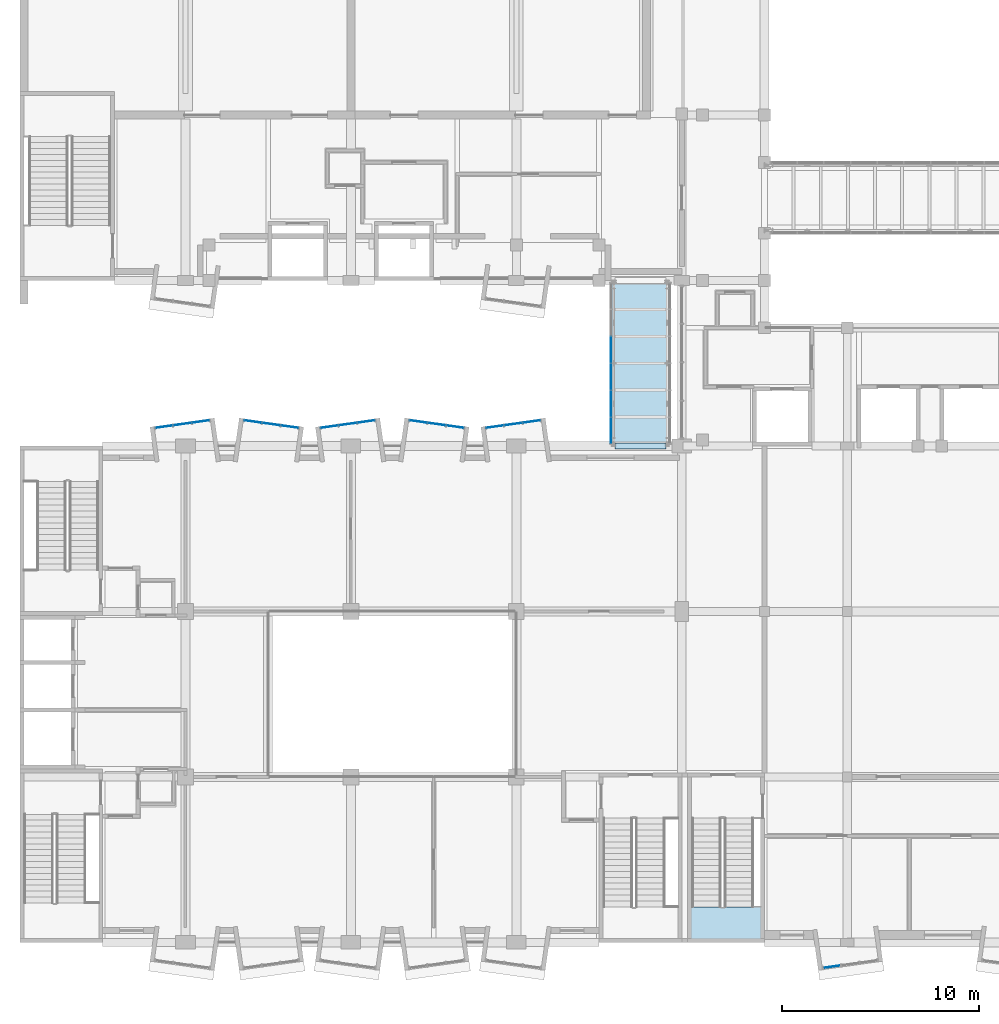
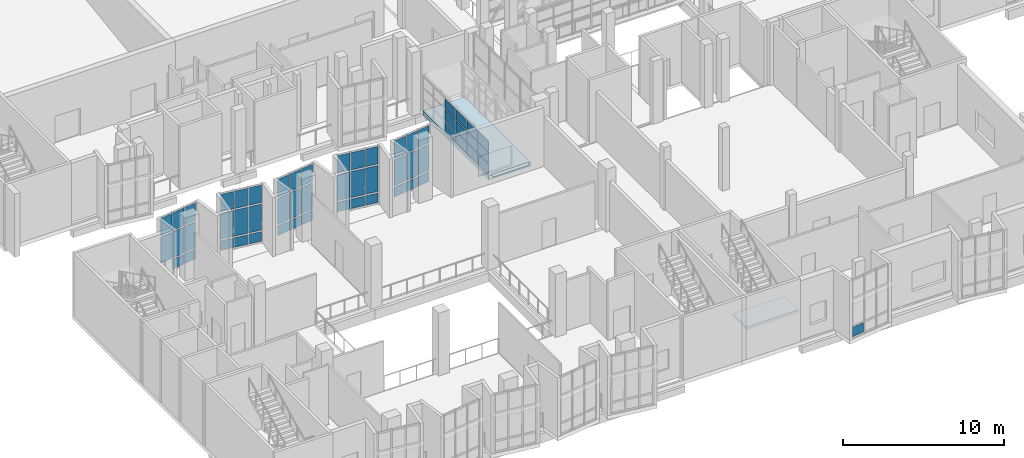
# One storey, part 30 of 86: 58 plates, 2 slabs, 8 elements without a shape of their own.
"""IFC4 building model written with IfcOpenShell, lengths in metres."""

from ifc_helpers import new_model, si_unit, direction, frame, origin, origin_2d, place, context, subcontext, project, spatial, polyline, rectangle, outline, extrude, material, layer, layer_set, type_object, element, aggregate, save


model = new_model("IFC4")

# Units and contexts
model_context = context("Model", 3, precision=1e-05, world=origin(), true_north=direction((0.0, 1.0)))
body_context = subcontext(model_context, "Body", "Model", "MODEL_VIEW")
ifc_project = project(units=[si_unit("LENGTHUNIT", "METRE"), si_unit("AREAUNIT", "SQUARE_METRE"), si_unit("VOLUMEUNIT", "CUBIC_METRE"), si_unit("PLANEANGLEUNIT", "RADIAN"), si_unit("MASSUNIT", "GRAM", prefix="KILO")], contexts=[model_context])

# Site, building, storey
site_placement = place(None, origin())
site = spatial("IfcSite", under=ifc_project, at=site_placement, CompositionType="ELEMENT")
building_placement = place(site_placement, origin())
building = spatial("IfcBuilding", under=site, at=building_placement, Name="Kiln Court Media Centre", CompositionType="ELEMENT")
storey_placement = place(building_placement, frame((0.0, 0.0, 10.199951171875)))
storey = spatial("IfcBuildingStorey", under=building, at=storey_placement, Name="L02", CompositionType="ELEMENT", Elevation=10.199951171875)

# Slab
ifc_material_1 = material(Name="Concrete C30/37", Category="concrete")
ifc_layer_1 = layer(ifc_material_1, 0.300048828125)
ifc_layer_set_1 = layer_set([ifc_layer_1], Name="Concrete C30/37 bridge deck slab 300")
slab_type_1 = type_object("IfcSlabType", Name="Concrete C30/37 bridge deck slab 300", PredefinedType="FLOOR", material=ifc_layer_set_1)
slab_1_placement = place(storey_placement, frame((0.0, 0.0, -0.300048828125)))
element("IfcSlab", 1, at=slab_1_placement, inside=storey, type_object=slab_type_1, Name="bridge BR-1 deck bridge deck slab", PredefinedType="FLOOR", context=body_context, shape_type="SweptSolid", body=[
    extrude(outline(polyline([(30.0, 25.300048828125), (33.0, 25.300048828125), (33.0, 33.5), (30.0, 33.5), (30.0, 25.300048828125)])), origin(), (0.0, 0.0, 1.0), 0.300048828125),
])

# Stair, slab
ifc_material_2 = material(Name="Concrete C40/50", Category="concrete")
stair_type = type_object("IfcStairType", Name="Concrete C40/50 dog-leg stair 1500 wide, 150 riser", PredefinedType="HALF_TURN_STAIR", material=ifc_material_2)
stair_placement = place(storey_placement, origin())
stair = element("IfcStair", 2, at=stair_placement, inside=storey, type_object=stair_type, Name="ST-04 L02", PredefinedType="HALF_TURN_STAIR")
ifc_material_3 = material(Name="Concrete C40/50", Category="concrete")
ifc_layer_2 = layer(ifc_material_3, 0.199951171875)
ifc_layer_set_2 = layer_set([ifc_layer_2], Name="Concrete C40/50 stair landing 200")
slab_type_2 = type_object("IfcSlabType", Name="Concrete C40/50 stair landing 200", PredefinedType="LANDING", material=ifc_layer_set_2)
slab_2_placement = place(storey_placement, frame((0.0, 0.0, 2.199951171875)))
slab_2 = element("IfcSlab", 3, at=slab_2_placement, type_object=slab_type_2, Name="L02-ST-5003 landing 5003", PredefinedType="LANDING", context=body_context, shape_type="SweptSolid", body=[
    extrude(outline(polyline([(33.97998046875, 1.800048828125), (33.97998046875, 0.080078125), (37.719970703125, 0.080078125), (37.719970703125, 1.800048828125), (33.97998046875, 1.800048828125)])), origin(), (0.0, 0.0, 1.0), 0.2001953125),
])
aggregate(stair, [slab_2])

# Curtain wall, plates
ifc_material_4 = material(Name="Aluminium 6063-T6", Category="aluminium")
ifc_layer_3 = layer(ifc_material_4, 0.1201171875)
ifc_layer_set_3 = layer_set([ifc_layer_3], Name="Aluminium unitised curtain wall, bridge")
curtain_wall_type_1 = type_object("IfcCurtainWallType", Name="Aluminium unitised curtain wall, bridge", PredefinedType="USERDEFINED", material=ifc_layer_set_3)
curtain_wall_1_placement = place(storey_placement, origin())
curtain_wall_1 = element("IfcCurtainWall", 4, at=curtain_wall_1_placement, inside=storey, type_object=curtain_wall_type_1, Name="BR-1 side glazing", ObjectType="UNITISED CURTAIN WALL", PredefinedType="USERDEFINED")
ifc_material_5 = material(Name="Aluminium insulated spandrel", Category="aluminium")
ifc_layer_4 = layer(ifc_material_5, 0.028076171875)
ifc_layer_set_4 = layer_set([ifc_layer_4], Name="Insulated aluminium spandrel panel 28")
plate_type_1 = type_object("IfcPlateType", Name="Insulated aluminium spandrel panel 28", PredefinedType="CURTAIN_PANEL", material=ifc_layer_set_4)
plate_1_placement = place(storey_placement, frame((30.014892578125, 25.995849609375, 0.10009765625), z_axis=(0.0, 0.0, 1.0), x_axis=(0.0, 1.0, 0.0)))
plate_1 = element("IfcPlate", 5, at=plate_1_placement, type_object=plate_type_1, Name="CW2-63 panel 1.1", PredefinedType="CURTAIN_PANEL", context=body_context, shape_type="SweptSolid", body=[
    extrude(rectangle(XDim=1.291748046875, YDim=0.028076171875, at=origin_2d()), origin(), (0.0, 0.0, 1.0), 0.74169921875),
])
plate_2_placement = place(storey_placement, frame((30.014892578125, 25.995849609375, 0.94189453125), z_axis=(0.0, 0.0, 1.0), x_axis=(0.0, 1.0, 0.0)))
plate_2 = element("IfcPlate", 6, at=plate_2_placement, type_object=plate_type_1, Name="CW2-63 panel 1.2", PredefinedType="CURTAIN_PANEL", context=body_context, shape_type="SweptSolid", body=[
    extrude(rectangle(XDim=1.291748046875, YDim=0.028076171875, at=origin_2d()), origin(), (0.0, 0.0, 1.0), 0.79150390625),
])
plate_3_placement = place(storey_placement, frame((30.014892578125, 27.35009765625, 0.10009765625), z_axis=(0.0, 0.0, 1.0), x_axis=(0.0, 1.0, 0.0)))
plate_3 = element("IfcPlate", 7, at=plate_3_placement, type_object=plate_type_1, Name="CW2-63 panel 2.1", PredefinedType="CURTAIN_PANEL", context=body_context, shape_type="SweptSolid", body=[
    extrude(rectangle(XDim=1.316650390625, YDim=0.028076171875, at=origin_2d()), origin(), (0.0, 0.0, 1.0), 0.74169921875),
])
plate_4_placement = place(storey_placement, frame((30.014892578125, 27.35009765625, 1.833251953125), z_axis=(0.0, 0.0, 1.0), x_axis=(0.0, 1.0, 0.0)))
plate_4 = element("IfcPlate", 8, at=plate_4_placement, type_object=plate_type_1, Name="CW2-63 panel 2.3", PredefinedType="CURTAIN_PANEL", context=body_context, shape_type="SweptSolid", body=[
    extrude(rectangle(XDim=1.316650390625, YDim=0.028076171875, at=origin_2d()), origin(), (0.0, 0.0, 1.0), 0.74169921875),
])
plate_5_placement = place(storey_placement, frame((30.014892578125, 28.716552734375, 0.10009765625), z_axis=(0.0, 0.0, 1.0), x_axis=(0.0, 1.0, 0.0)))
plate_5 = element("IfcPlate", 9, at=plate_5_placement, type_object=plate_type_1, Name="CW2-63 panel 3.1", PredefinedType="CURTAIN_PANEL", context=body_context, shape_type="SweptSolid", body=[
    extrude(rectangle(XDim=1.316650390625, YDim=0.028076171875, at=origin_2d()), origin(), (0.0, 0.0, 1.0), 0.74169921875),
])
plate_6_placement = place(storey_placement, frame((30.014892578125, 28.716552734375, 0.94189453125), z_axis=(0.0, 0.0, 1.0), x_axis=(0.0, 1.0, 0.0)))
plate_6 = element("IfcPlate", 10, at=plate_6_placement, type_object=plate_type_1, Name="CW2-63 panel 3.2", PredefinedType="CURTAIN_PANEL", context=body_context, shape_type="SweptSolid", body=[
    extrude(rectangle(XDim=1.316650390625, YDim=0.028076171875, at=origin_2d()), origin(), (0.0, 0.0, 1.0), 0.79150390625),
])
plate_7_placement = place(storey_placement, frame((30.014892578125, 28.716552734375, 1.833251953125), z_axis=(0.0, 0.0, 1.0), x_axis=(0.0, 1.0, 0.0)))
plate_7 = element("IfcPlate", 11, at=plate_7_placement, type_object=plate_type_1, Name="CW2-63 panel 3.3", PredefinedType="CURTAIN_PANEL", context=body_context, shape_type="SweptSolid", body=[
    extrude(rectangle(XDim=1.316650390625, YDim=0.028076171875, at=origin_2d()), origin(), (0.0, 0.0, 1.0), 0.74169921875),
])
plate_8_placement = place(storey_placement, frame((30.014892578125, 30.083251953125, 0.10009765625), z_axis=(0.0, 0.0, 1.0), x_axis=(0.0, 1.0, 0.0)))
plate_8 = element("IfcPlate", 12, at=plate_8_placement, type_object=plate_type_1, Name="CW2-63 panel 4.1", PredefinedType="CURTAIN_PANEL", context=body_context, shape_type="SweptSolid", body=[
    extrude(rectangle(XDim=1.316650390625, YDim=0.028076171875, at=origin_2d()), origin(), (0.0, 0.0, 1.0), 0.74169921875),
])
plate_9_placement = place(storey_placement, frame((30.014892578125, 30.083251953125, 0.94189453125), z_axis=(0.0, 0.0, 1.0), x_axis=(0.0, 1.0, 0.0)))
plate_9 = element("IfcPlate", 13, at=plate_9_placement, type_object=plate_type_1, Name="CW2-63 panel 4.2", PredefinedType="CURTAIN_PANEL", context=body_context, shape_type="SweptSolid", body=[
    extrude(rectangle(XDim=1.316650390625, YDim=0.028076171875, at=origin_2d()), origin(), (0.0, 0.0, 1.0), 0.79150390625),
])
plate_10_placement = place(storey_placement, frame((30.014892578125, 30.083251953125, 1.833251953125), z_axis=(0.0, 0.0, 1.0), x_axis=(0.0, 1.0, 0.0)))
plate_10 = element("IfcPlate", 14, at=plate_10_placement, type_object=plate_type_1, Name="CW2-63 panel 4.3", PredefinedType="CURTAIN_PANEL", context=body_context, shape_type="SweptSolid", body=[
    extrude(rectangle(XDim=1.316650390625, YDim=0.028076171875, at=origin_2d()), origin(), (0.0, 0.0, 1.0), 0.74169921875),
])

ifc_material_6 = material(Name="Aluminium 6063-T6", Category="aluminium")
ifc_layer_5 = layer(ifc_material_6, 0.1201171875)
ifc_layer_set_5 = layer_set([ifc_layer_5], Name="Aluminium unitised bay curtain wall")
curtain_wall_type_2 = type_object("IfcCurtainWallType", Name="Aluminium unitised bay curtain wall", PredefinedType="USERDEFINED", material=ifc_layer_set_5)
curtain_wall_2_placement = place(storey_placement, origin())
curtain_wall_2 = element("IfcCurtainWall", 15, at=curtain_wall_2_placement, inside=storey, type_object=curtain_wall_type_2, Name="BAY V6A-N-L02-10 front", ObjectType="UNITISED CURTAIN WALL", PredefinedType="USERDEFINED")
ifc_material_7 = material(Name="Aluminium insulated spandrel", Category="aluminium")
ifc_layer_6 = layer(ifc_material_7, 0.028076171875)
ifc_layer_set_6 = layer_set([ifc_layer_6], Name="Insulated spandrel panel 28")
plate_type_2 = type_object("IfcPlateType", Name="Insulated spandrel panel 28", PredefinedType="CURTAIN_PANEL", material=ifc_layer_set_6)
plate_11_placement = place(storey_placement, frame((8.244140625, 26.30908203125, 0.1201171875), z_axis=(0.0, 0.0, 1.0), x_axis=(0.990269562409, 0.139162472554, 0.0)))
plate_11 = element("IfcPlate", 16, at=plate_11_placement, type_object=plate_type_2, Name="CW2-03 panel 2.1", PredefinedType="CURTAIN_PANEL", context=body_context, shape_type="SweptSolid", body=[
    extrude(rectangle(XDim=0.896728515625, YDim=0.028076171875, at=origin_2d()), origin(), (0.0, 0.0, 1.0), 0.719970703125),
])
plate_12_placement = place(storey_placement, frame((9.1767578125, 26.440185546875, 0.1201171875), z_axis=(0.0, 0.0, 1.0), x_axis=(0.990269562409, 0.139162472554, 0.0)))
plate_12 = element("IfcPlate", 17, at=plate_12_placement, type_object=plate_type_2, Name="CW2-03 panel 3.1", PredefinedType="CURTAIN_PANEL", context=body_context, shape_type="SweptSolid", body=[
    extrude(rectangle(XDim=0.86669921875, YDim=0.028076171875, at=origin_2d()), origin(), (0.0, 0.0, 1.0), 0.719970703125),
])

curtain_wall_3_placement = place(storey_placement, origin())
curtain_wall_3 = element("IfcCurtainWall", 18, at=curtain_wall_3_placement, inside=storey, type_object=curtain_wall_type_2, Name="BAY V6A-N-L02-11 front", ObjectType="UNITISED CURTAIN WALL", PredefinedType="USERDEFINED")
plate_13_placement = place(storey_placement, frame((11.8232421875, 26.440185546875, 0.1201171875), z_axis=(0.0, 0.0, 1.0), x_axis=(0.990269562409, -0.139162472554, 0.0)))
plate_13 = element("IfcPlate", 19, at=plate_13_placement, type_object=plate_type_2, Name="CW2-04 panel 1.1", PredefinedType="CURTAIN_PANEL", context=body_context, shape_type="SweptSolid", body=[
    extrude(rectangle(XDim=0.86669921875, YDim=0.028076171875, at=origin_2d()), origin(), (0.0, 0.0, 1.0), 0.719970703125),
])
plate_14_placement = place(storey_placement, frame((12.755859375, 26.30908203125, 0.1201171875), z_axis=(0.0, 0.0, 1.0), x_axis=(0.990269562409, -0.139162472554, 0.0)))
plate_14 = element("IfcPlate", 20, at=plate_14_placement, type_object=plate_type_2, Name="CW2-04 panel 2.1", PredefinedType="CURTAIN_PANEL", context=body_context, shape_type="SweptSolid", body=[
    extrude(rectangle(XDim=0.896728515625, YDim=0.028076171875, at=origin_2d()), origin(), (0.0, 0.0, 1.0), 0.719970703125),
])
plate_15_placement = place(storey_placement, frame((13.6884765625, 26.177978515625, 0.1201171875), z_axis=(0.0, 0.0, 1.0), x_axis=(0.990269562409, -0.139162472554, 0.0)))
plate_15 = element("IfcPlate", 21, at=plate_15_placement, type_object=plate_type_2, Name="CW2-04 panel 3.1", PredefinedType="CURTAIN_PANEL", context=body_context, shape_type="SweptSolid", body=[
    extrude(rectangle(XDim=0.86669921875, YDim=0.028076171875, at=origin_2d()), origin(), (0.0, 0.0, 1.0), 0.719970703125),
])

curtain_wall_4_placement = place(storey_placement, origin())
curtain_wall_4 = element("IfcCurtainWall", 22, at=curtain_wall_4_placement, inside=storey, type_object=curtain_wall_type_2, Name="BAY V6A-N-L02-12 front", ObjectType="UNITISED CURTAIN WALL", PredefinedType="USERDEFINED")
plate_16_placement = place(storey_placement, frame((15.711669921875, 26.177978515625, 0.1201171875), z_axis=(0.0, 0.0, 1.0), x_axis=(0.990269562409, 0.139162472554, 0.0)))
plate_16 = element("IfcPlate", 23, at=plate_16_placement, type_object=plate_type_2, Name="CW2-05 panel 1.1", PredefinedType="CURTAIN_PANEL", context=body_context, shape_type="SweptSolid", body=[
    extrude(rectangle(XDim=0.86669921875, YDim=0.028076171875, at=origin_2d()), origin(), (0.0, 0.0, 1.0), 0.719970703125),
])
plate_17_placement = place(storey_placement, frame((16.64404296875, 26.30908203125, 0.1201171875), z_axis=(0.0, 0.0, 1.0), x_axis=(0.990269562409, 0.139162472554, 0.0)))
plate_17 = element("IfcPlate", 24, at=plate_17_placement, type_object=plate_type_2, Name="CW2-05 panel 2.1", PredefinedType="CURTAIN_PANEL", context=body_context, shape_type="SweptSolid", body=[
    extrude(rectangle(XDim=0.896728515625, YDim=0.028076171875, at=origin_2d()), origin(), (0.0, 0.0, 1.0), 0.719970703125),
])
plate_18_placement = place(storey_placement, frame((17.57666015625, 26.440185546875, 0.1201171875), z_axis=(0.0, 0.0, 1.0), x_axis=(0.990269562409, 0.139162472554, 0.0)))
plate_18 = element("IfcPlate", 25, at=plate_18_placement, type_object=plate_type_2, Name="CW2-05 panel 3.1", PredefinedType="CURTAIN_PANEL", context=body_context, shape_type="SweptSolid", body=[
    extrude(rectangle(XDim=0.86669921875, YDim=0.028076171875, at=origin_2d()), origin(), (0.0, 0.0, 1.0), 0.719970703125),
])

curtain_wall_5_placement = place(storey_placement, origin())
curtain_wall_5 = element("IfcCurtainWall", 26, at=curtain_wall_5_placement, inside=storey, type_object=curtain_wall_type_2, Name="BAY V6A-N-L02-13 front", ObjectType="UNITISED CURTAIN WALL", PredefinedType="USERDEFINED")
plate_19_placement = place(storey_placement, frame((20.223388671875, 26.440185546875, 0.1201171875), z_axis=(0.0, 0.0, 1.0), x_axis=(0.990269562409, -0.139162472554, 0.0)))
plate_19 = element("IfcPlate", 27, at=plate_19_placement, type_object=plate_type_2, Name="CW2-06 panel 1.1", PredefinedType="CURTAIN_PANEL", context=body_context, shape_type="SweptSolid", body=[
    extrude(rectangle(XDim=0.86669921875, YDim=0.028076171875, at=origin_2d()), origin(), (0.0, 0.0, 1.0), 0.719970703125),
])
plate_20_placement = place(storey_placement, frame((21.15576171875, 26.30908203125, 0.1201171875), z_axis=(0.0, 0.0, 1.0), x_axis=(0.990269562409, -0.139162472554, 0.0)))
plate_20 = element("IfcPlate", 28, at=plate_20_placement, type_object=plate_type_2, Name="CW2-06 panel 2.1", PredefinedType="CURTAIN_PANEL", context=body_context, shape_type="SweptSolid", body=[
    extrude(rectangle(XDim=0.896728515625, YDim=0.028076171875, at=origin_2d()), origin(), (0.0, 0.0, 1.0), 0.719970703125),
])
plate_21_placement = place(storey_placement, frame((22.08837890625, 26.177978515625, 0.1201171875), z_axis=(0.0, 0.0, 1.0), x_axis=(0.990269562409, -0.139162472554, 0.0)))
plate_21 = element("IfcPlate", 29, at=plate_21_placement, type_object=plate_type_2, Name="CW2-06 panel 3.1", PredefinedType="CURTAIN_PANEL", context=body_context, shape_type="SweptSolid", body=[
    extrude(rectangle(XDim=0.86669921875, YDim=0.028076171875, at=origin_2d()), origin(), (0.0, 0.0, 1.0), 0.719970703125),
])

curtain_wall_6_placement = place(storey_placement, origin())
curtain_wall_6 = element("IfcCurtainWall", 30, at=curtain_wall_6_placement, inside=storey, type_object=curtain_wall_type_2, Name="BAY V6A-N-L02-14 front", ObjectType="UNITISED CURTAIN WALL", PredefinedType="USERDEFINED")
plate_22_placement = place(storey_placement, frame((24.111572265625, 26.177978515625, 0.1201171875), z_axis=(0.0, 0.0, 1.0), x_axis=(0.990269562409, 0.139162472554, 0.0)))
plate_22 = element("IfcPlate", 31, at=plate_22_placement, type_object=plate_type_2, Name="CW2-07 panel 1.1", PredefinedType="CURTAIN_PANEL", context=body_context, shape_type="SweptSolid", body=[
    extrude(rectangle(XDim=0.86669921875, YDim=0.028076171875, at=origin_2d()), origin(), (0.0, 0.0, 1.0), 0.719970703125),
])
plate_23_placement = place(storey_placement, frame((25.044189453125, 26.30908203125, 0.1201171875), z_axis=(0.0, 0.0, 1.0), x_axis=(0.990269562409, 0.139162472554, 0.0)))
plate_23 = element("IfcPlate", 32, at=plate_23_placement, type_object=plate_type_2, Name="CW2-07 panel 2.1", PredefinedType="CURTAIN_PANEL", context=body_context, shape_type="SweptSolid", body=[
    extrude(rectangle(XDim=0.896728515625, YDim=0.028076171875, at=origin_2d()), origin(), (0.0, 0.0, 1.0), 0.719970703125),
])
plate_24_placement = place(storey_placement, frame((25.9765625, 26.440185546875, 0.1201171875), z_axis=(0.0, 0.0, 1.0), x_axis=(0.990269562409, 0.139162472554, 0.0)))
plate_24 = element("IfcPlate", 33, at=plate_24_placement, type_object=plate_type_2, Name="CW2-07 panel 3.1", PredefinedType="CURTAIN_PANEL", context=body_context, shape_type="SweptSolid", body=[
    extrude(rectangle(XDim=0.86669921875, YDim=0.028076171875, at=origin_2d()), origin(), (0.0, 0.0, 1.0), 0.719970703125),
])

# Curtain wall, plate
curtain_wall_7_placement = place(storey_placement, origin())
curtain_wall_7 = element("IfcCurtainWall", 34, at=curtain_wall_7_placement, inside=storey, type_object=curtain_wall_type_2, Name="BAY V6B-S-L02-04 front", ObjectType="UNITISED CURTAIN WALL", PredefinedType="USERDEFINED")
plate_25_placement = place(storey_placement, frame((41.223388671875, -1.240234375, 0.1201171875), z_axis=(0.0, 0.0, 1.0), x_axis=(0.990269562409, 0.139162472554, 0.0)))
plate_25 = element("IfcPlate", 35, at=plate_25_placement, type_object=plate_type_2, Name="CW2-13 panel 1.1", PredefinedType="CURTAIN_PANEL", context=body_context, shape_type="SweptSolid", body=[
    extrude(rectangle(XDim=0.86669921875, YDim=0.028076171875, at=origin_2d()), origin(), (0.0, 0.0, 1.0), 0.719970703125),
])
aggregate(curtain_wall_7, [plate_25])

# Plate
ifc_material_8 = material(Name="Laminated low-E glazing", Category="glass")
ifc_layer_7 = layer(ifc_material_8, 0.028076171875)
ifc_layer_set_7 = layer_set([ifc_layer_7], Name="Laminated low-E glazed panel 28")
plate_type_3 = type_object("IfcPlateType", Name="Laminated low-E glazed panel 28", PredefinedType="CURTAIN_PANEL", material=ifc_layer_set_7)
plate_26_placement = place(storey_placement, frame((30.014892578125, 25.995849609375, 1.833251953125), z_axis=(0.0, 0.0, 1.0), x_axis=(0.0, 1.0, 0.0)))
plate_26 = element("IfcPlate", 36, at=plate_26_placement, type_object=plate_type_3, Name="CW2-63 panel 1.3", PredefinedType="CURTAIN_PANEL", context=body_context, shape_type="SweptSolid", body=[
    extrude(rectangle(XDim=1.291748046875, YDim=0.028076171875, at=origin_2d()), origin(), (0.0, 0.0, 1.0), 0.74169921875),
])

plate_27_placement = place(storey_placement, frame((30.014892578125, 27.35009765625, 0.94189453125), z_axis=(0.0, 0.0, 1.0), x_axis=(0.0, 1.0, 0.0)))
plate_27 = element("IfcPlate", 37, at=plate_27_placement, type_object=plate_type_3, Name="CW2-63 panel 2.2", PredefinedType="CURTAIN_PANEL", context=body_context, shape_type="SweptSolid", body=[
    extrude(rectangle(XDim=1.316650390625, YDim=0.028076171875, at=origin_2d()), origin(), (0.0, 0.0, 1.0), 0.79150390625),
])

aggregate(curtain_wall_1, [plate_1, plate_2, plate_26, plate_3, plate_27, plate_4, plate_5, plate_6, plate_7, plate_8, plate_9, plate_10])

ifc_material_9 = material(Name="Low-E double glazing", Category="glass")
ifc_layer_8 = layer(ifc_material_9, 0.028076171875)
ifc_layer_set_8 = layer_set([ifc_layer_8], Name="Low-E double glazed panel 28")
plate_type_4 = type_object("IfcPlateType", Name="Low-E double glazed panel 28", PredefinedType="CURTAIN_PANEL", material=ifc_layer_set_8)
plate_28_placement = place(storey_placement, frame((7.3115234375, 26.177978515625, 0.9599609375), z_axis=(0.0, 0.0, 1.0), x_axis=(0.990269562409, 0.139162472554, 0.0)))
plate_28 = element("IfcPlate", 38, at=plate_28_placement, type_object=plate_type_4, Name="CW2-03 panel 1.2", PredefinedType="CURTAIN_PANEL", context=body_context, shape_type="SweptSolid", body=[
    extrude(rectangle(XDim=0.86669921875, YDim=0.028076171875, at=origin_2d()), origin(), (0.0, 0.0, 1.0), 1.97998046875),
])

plate_29_placement = place(storey_placement, frame((7.3115234375, 26.177978515625, 3.06005859375), z_axis=(0.0, 0.0, 1.0), x_axis=(0.990269562409, 0.139162472554, 0.0)))
plate_29 = element("IfcPlate", 39, at=plate_29_placement, type_object=plate_type_4, Name="CW2-03 panel 1.3", PredefinedType="CURTAIN_PANEL", context=body_context, shape_type="SweptSolid", body=[
    extrude(rectangle(XDim=0.86669921875, YDim=0.028076171875, at=origin_2d()), origin(), (0.0, 0.0, 1.0), 1.320068359375),
])

plate_30_placement = place(storey_placement, frame((8.244140625, 26.30908203125, 0.9599609375), z_axis=(0.0, 0.0, 1.0), x_axis=(0.990269562409, 0.139162472554, 0.0)))
plate_30 = element("IfcPlate", 40, at=plate_30_placement, type_object=plate_type_4, Name="CW2-03 panel 2.2", PredefinedType="CURTAIN_PANEL", context=body_context, shape_type="SweptSolid", body=[
    extrude(rectangle(XDim=0.896728515625, YDim=0.028076171875, at=origin_2d()), origin(), (0.0, 0.0, 1.0), 1.97998046875),
])

plate_31_placement = place(storey_placement, frame((8.244140625, 26.30908203125, 3.06005859375), z_axis=(0.0, 0.0, 1.0), x_axis=(0.990269562409, 0.139162472554, 0.0)))
plate_31 = element("IfcPlate", 41, at=plate_31_placement, type_object=plate_type_4, Name="CW2-03 panel 2.3", PredefinedType="CURTAIN_PANEL", context=body_context, shape_type="SweptSolid", body=[
    extrude(rectangle(XDim=0.896728515625, YDim=0.028076171875, at=origin_2d()), origin(), (0.0, 0.0, 1.0), 1.320068359375),
])

plate_32_placement = place(storey_placement, frame((9.1767578125, 26.440185546875, 0.9599609375), z_axis=(0.0, 0.0, 1.0), x_axis=(0.990269562409, 0.139162472554, 0.0)))
plate_32 = element("IfcPlate", 42, at=plate_32_placement, type_object=plate_type_4, Name="CW2-03 panel 3.2", PredefinedType="CURTAIN_PANEL", context=body_context, shape_type="SweptSolid", body=[
    extrude(rectangle(XDim=0.86669921875, YDim=0.028076171875, at=origin_2d()), origin(), (0.0, 0.0, 1.0), 1.97998046875),
])

plate_33_placement = place(storey_placement, frame((9.1767578125, 26.440185546875, 3.06005859375), z_axis=(0.0, 0.0, 1.0), x_axis=(0.990269562409, 0.139162472554, 0.0)))
plate_33 = element("IfcPlate", 43, at=plate_33_placement, type_object=plate_type_4, Name="CW2-03 panel 3.3", PredefinedType="CURTAIN_PANEL", context=body_context, shape_type="SweptSolid", body=[
    extrude(rectangle(XDim=0.86669921875, YDim=0.028076171875, at=origin_2d()), origin(), (0.0, 0.0, 1.0), 1.320068359375),
])

aggregate(curtain_wall_2, [plate_28, plate_29, plate_11, plate_30, plate_31, plate_12, plate_32, plate_33])

plate_34_placement = place(storey_placement, frame((11.8232421875, 26.440185546875, 0.9599609375), z_axis=(0.0, 0.0, 1.0), x_axis=(0.990269562409, -0.139162472554, 0.0)))
plate_34 = element("IfcPlate", 44, at=plate_34_placement, type_object=plate_type_4, Name="CW2-04 panel 1.2", PredefinedType="CURTAIN_PANEL", context=body_context, shape_type="SweptSolid", body=[
    extrude(rectangle(XDim=0.86669921875, YDim=0.028076171875, at=origin_2d()), origin(), (0.0, 0.0, 1.0), 1.97998046875),
])

plate_35_placement = place(storey_placement, frame((11.8232421875, 26.440185546875, 3.06005859375), z_axis=(0.0, 0.0, 1.0), x_axis=(0.990269562409, -0.139162472554, 0.0)))
plate_35 = element("IfcPlate", 45, at=plate_35_placement, type_object=plate_type_4, Name="CW2-04 panel 1.3", PredefinedType="CURTAIN_PANEL", context=body_context, shape_type="SweptSolid", body=[
    extrude(rectangle(XDim=0.86669921875, YDim=0.028076171875, at=origin_2d()), origin(), (0.0, 0.0, 1.0), 1.320068359375),
])

plate_36_placement = place(storey_placement, frame((12.755859375, 26.30908203125, 0.9599609375), z_axis=(0.0, 0.0, 1.0), x_axis=(0.990269562409, -0.139162472554, 0.0)))
plate_36 = element("IfcPlate", 46, at=plate_36_placement, type_object=plate_type_4, Name="CW2-04 panel 2.2", PredefinedType="CURTAIN_PANEL", context=body_context, shape_type="SweptSolid", body=[
    extrude(rectangle(XDim=0.896728515625, YDim=0.028076171875, at=origin_2d()), origin(), (0.0, 0.0, 1.0), 1.97998046875),
])

plate_37_placement = place(storey_placement, frame((12.755859375, 26.30908203125, 3.06005859375), z_axis=(0.0, 0.0, 1.0), x_axis=(0.990269562409, -0.139162472554, 0.0)))
plate_37 = element("IfcPlate", 47, at=plate_37_placement, type_object=plate_type_4, Name="CW2-04 panel 2.3", PredefinedType="CURTAIN_PANEL", context=body_context, shape_type="SweptSolid", body=[
    extrude(rectangle(XDim=0.896728515625, YDim=0.028076171875, at=origin_2d()), origin(), (0.0, 0.0, 1.0), 1.320068359375),
])

plate_38_placement = place(storey_placement, frame((13.6884765625, 26.177978515625, 0.9599609375), z_axis=(0.0, 0.0, 1.0), x_axis=(0.990269562409, -0.139162472554, 0.0)))
plate_38 = element("IfcPlate", 48, at=plate_38_placement, type_object=plate_type_4, Name="CW2-04 panel 3.2", PredefinedType="CURTAIN_PANEL", context=body_context, shape_type="SweptSolid", body=[
    extrude(rectangle(XDim=0.86669921875, YDim=0.028076171875, at=origin_2d()), origin(), (0.0, 0.0, 1.0), 1.97998046875),
])

plate_39_placement = place(storey_placement, frame((13.6884765625, 26.177978515625, 3.06005859375), z_axis=(0.0, 0.0, 1.0), x_axis=(0.990269562409, -0.139162472554, 0.0)))
plate_39 = element("IfcPlate", 49, at=plate_39_placement, type_object=plate_type_4, Name="CW2-04 panel 3.3", PredefinedType="CURTAIN_PANEL", context=body_context, shape_type="SweptSolid", body=[
    extrude(rectangle(XDim=0.86669921875, YDim=0.028076171875, at=origin_2d()), origin(), (0.0, 0.0, 1.0), 1.320068359375),
])

aggregate(curtain_wall_3, [plate_13, plate_34, plate_35, plate_14, plate_36, plate_37, plate_15, plate_38, plate_39])

plate_40_placement = place(storey_placement, frame((15.711669921875, 26.177978515625, 0.9599609375), z_axis=(0.0, 0.0, 1.0), x_axis=(0.990269562409, 0.139162472554, 0.0)))
plate_40 = element("IfcPlate", 50, at=plate_40_placement, type_object=plate_type_4, Name="CW2-05 panel 1.2", PredefinedType="CURTAIN_PANEL", context=body_context, shape_type="SweptSolid", body=[
    extrude(rectangle(XDim=0.86669921875, YDim=0.028076171875, at=origin_2d()), origin(), (0.0, 0.0, 1.0), 1.97998046875),
])

plate_41_placement = place(storey_placement, frame((15.711669921875, 26.177978515625, 3.06005859375), z_axis=(0.0, 0.0, 1.0), x_axis=(0.990269562409, 0.139162472554, 0.0)))
plate_41 = element("IfcPlate", 51, at=plate_41_placement, type_object=plate_type_4, Name="CW2-05 panel 1.3", PredefinedType="CURTAIN_PANEL", context=body_context, shape_type="SweptSolid", body=[
    extrude(rectangle(XDim=0.86669921875, YDim=0.028076171875, at=origin_2d()), origin(), (0.0, 0.0, 1.0), 1.320068359375),
])

plate_42_placement = place(storey_placement, frame((16.64404296875, 26.30908203125, 0.9599609375), z_axis=(0.0, 0.0, 1.0), x_axis=(0.990269562409, 0.139162472554, 0.0)))
plate_42 = element("IfcPlate", 52, at=plate_42_placement, type_object=plate_type_4, Name="CW2-05 panel 2.2", PredefinedType="CURTAIN_PANEL", context=body_context, shape_type="SweptSolid", body=[
    extrude(rectangle(XDim=0.896728515625, YDim=0.028076171875, at=origin_2d()), origin(), (0.0, 0.0, 1.0), 1.97998046875),
])

plate_43_placement = place(storey_placement, frame((16.64404296875, 26.30908203125, 3.06005859375), z_axis=(0.0, 0.0, 1.0), x_axis=(0.990269562409, 0.139162472554, 0.0)))
plate_43 = element("IfcPlate", 53, at=plate_43_placement, type_object=plate_type_4, Name="CW2-05 panel 2.3", PredefinedType="CURTAIN_PANEL", context=body_context, shape_type="SweptSolid", body=[
    extrude(rectangle(XDim=0.896728515625, YDim=0.028076171875, at=origin_2d()), origin(), (0.0, 0.0, 1.0), 1.320068359375),
])

plate_44_placement = place(storey_placement, frame((17.57666015625, 26.440185546875, 0.9599609375), z_axis=(0.0, 0.0, 1.0), x_axis=(0.990269562409, 0.139162472554, 0.0)))
plate_44 = element("IfcPlate", 54, at=plate_44_placement, type_object=plate_type_4, Name="CW2-05 panel 3.2", PredefinedType="CURTAIN_PANEL", context=body_context, shape_type="SweptSolid", body=[
    extrude(rectangle(XDim=0.86669921875, YDim=0.028076171875, at=origin_2d()), origin(), (0.0, 0.0, 1.0), 1.97998046875),
])

plate_45_placement = place(storey_placement, frame((17.57666015625, 26.440185546875, 3.06005859375), z_axis=(0.0, 0.0, 1.0), x_axis=(0.990269562409, 0.139162472554, 0.0)))
plate_45 = element("IfcPlate", 55, at=plate_45_placement, type_object=plate_type_4, Name="CW2-05 panel 3.3", PredefinedType="CURTAIN_PANEL", context=body_context, shape_type="SweptSolid", body=[
    extrude(rectangle(XDim=0.86669921875, YDim=0.028076171875, at=origin_2d()), origin(), (0.0, 0.0, 1.0), 1.320068359375),
])

aggregate(curtain_wall_4, [plate_16, plate_40, plate_41, plate_17, plate_42, plate_43, plate_18, plate_44, plate_45])

plate_46_placement = place(storey_placement, frame((20.223388671875, 26.440185546875, 0.9599609375), z_axis=(0.0, 0.0, 1.0), x_axis=(0.990269562409, -0.139162472554, 0.0)))
plate_46 = element("IfcPlate", 56, at=plate_46_placement, type_object=plate_type_4, Name="CW2-06 panel 1.2", PredefinedType="CURTAIN_PANEL", context=body_context, shape_type="SweptSolid", body=[
    extrude(rectangle(XDim=0.86669921875, YDim=0.028076171875, at=origin_2d()), origin(), (0.0, 0.0, 1.0), 1.97998046875),
])

plate_47_placement = place(storey_placement, frame((20.223388671875, 26.440185546875, 3.06005859375), z_axis=(0.0, 0.0, 1.0), x_axis=(0.990269562409, -0.139162472554, 0.0)))
plate_47 = element("IfcPlate", 57, at=plate_47_placement, type_object=plate_type_4, Name="CW2-06 panel 1.3", PredefinedType="CURTAIN_PANEL", context=body_context, shape_type="SweptSolid", body=[
    extrude(rectangle(XDim=0.86669921875, YDim=0.028076171875, at=origin_2d()), origin(), (0.0, 0.0, 1.0), 1.320068359375),
])

plate_48_placement = place(storey_placement, frame((21.15576171875, 26.30908203125, 0.9599609375), z_axis=(0.0, 0.0, 1.0), x_axis=(0.990269562409, -0.139162472554, 0.0)))
plate_48 = element("IfcPlate", 58, at=plate_48_placement, type_object=plate_type_4, Name="CW2-06 panel 2.2", PredefinedType="CURTAIN_PANEL", context=body_context, shape_type="SweptSolid", body=[
    extrude(rectangle(XDim=0.896728515625, YDim=0.028076171875, at=origin_2d()), origin(), (0.0, 0.0, 1.0), 1.97998046875),
])

plate_49_placement = place(storey_placement, frame((21.15576171875, 26.30908203125, 3.06005859375), z_axis=(0.0, 0.0, 1.0), x_axis=(0.990269562409, -0.139162472554, 0.0)))
plate_49 = element("IfcPlate", 59, at=plate_49_placement, type_object=plate_type_4, Name="CW2-06 panel 2.3", PredefinedType="CURTAIN_PANEL", context=body_context, shape_type="SweptSolid", body=[
    extrude(rectangle(XDim=0.896728515625, YDim=0.028076171875, at=origin_2d()), origin(), (0.0, 0.0, 1.0), 1.320068359375),
])

plate_50_placement = place(storey_placement, frame((22.08837890625, 26.177978515625, 0.9599609375), z_axis=(0.0, 0.0, 1.0), x_axis=(0.990269562409, -0.139162472554, 0.0)))
plate_50 = element("IfcPlate", 60, at=plate_50_placement, type_object=plate_type_4, Name="CW2-06 panel 3.2", PredefinedType="CURTAIN_PANEL", context=body_context, shape_type="SweptSolid", body=[
    extrude(rectangle(XDim=0.86669921875, YDim=0.028076171875, at=origin_2d()), origin(), (0.0, 0.0, 1.0), 1.97998046875),
])

plate_51_placement = place(storey_placement, frame((22.08837890625, 26.177978515625, 3.06005859375), z_axis=(0.0, 0.0, 1.0), x_axis=(0.990269562409, -0.139162472554, 0.0)))
plate_51 = element("IfcPlate", 61, at=plate_51_placement, type_object=plate_type_4, Name="CW2-06 panel 3.3", PredefinedType="CURTAIN_PANEL", context=body_context, shape_type="SweptSolid", body=[
    extrude(rectangle(XDim=0.86669921875, YDim=0.028076171875, at=origin_2d()), origin(), (0.0, 0.0, 1.0), 1.320068359375),
])

aggregate(curtain_wall_5, [plate_19, plate_46, plate_47, plate_20, plate_48, plate_49, plate_21, plate_50, plate_51])

plate_52_placement = place(storey_placement, frame((24.111572265625, 26.177978515625, 0.9599609375), z_axis=(0.0, 0.0, 1.0), x_axis=(0.990269562409, 0.139162472554, 0.0)))
plate_52 = element("IfcPlate", 62, at=plate_52_placement, type_object=plate_type_4, Name="CW2-07 panel 1.2", PredefinedType="CURTAIN_PANEL", context=body_context, shape_type="SweptSolid", body=[
    extrude(rectangle(XDim=0.86669921875, YDim=0.028076171875, at=origin_2d()), origin(), (0.0, 0.0, 1.0), 1.97998046875),
])

plate_53_placement = place(storey_placement, frame((24.111572265625, 26.177978515625, 3.06005859375), z_axis=(0.0, 0.0, 1.0), x_axis=(0.990269562409, 0.139162472554, 0.0)))
plate_53 = element("IfcPlate", 63, at=plate_53_placement, type_object=plate_type_4, Name="CW2-07 panel 1.3", PredefinedType="CURTAIN_PANEL", context=body_context, shape_type="SweptSolid", body=[
    extrude(rectangle(XDim=0.86669921875, YDim=0.028076171875, at=origin_2d()), origin(), (0.0, 0.0, 1.0), 1.320068359375),
])

plate_54_placement = place(storey_placement, frame((25.044189453125, 26.30908203125, 0.9599609375), z_axis=(0.0, 0.0, 1.0), x_axis=(0.990269562409, 0.139162472554, 0.0)))
plate_54 = element("IfcPlate", 64, at=plate_54_placement, type_object=plate_type_4, Name="CW2-07 panel 2.2", PredefinedType="CURTAIN_PANEL", context=body_context, shape_type="SweptSolid", body=[
    extrude(rectangle(XDim=0.896728515625, YDim=0.028076171875, at=origin_2d()), origin(), (0.0, 0.0, 1.0), 1.97998046875),
])

plate_55_placement = place(storey_placement, frame((25.044189453125, 26.30908203125, 3.06005859375), z_axis=(0.0, 0.0, 1.0), x_axis=(0.990269562409, 0.139162472554, 0.0)))
plate_55 = element("IfcPlate", 65, at=plate_55_placement, type_object=plate_type_4, Name="CW2-07 panel 2.3", PredefinedType="CURTAIN_PANEL", context=body_context, shape_type="SweptSolid", body=[
    extrude(rectangle(XDim=0.896728515625, YDim=0.028076171875, at=origin_2d()), origin(), (0.0, 0.0, 1.0), 1.320068359375),
])

plate_56_placement = place(storey_placement, frame((25.9765625, 26.440185546875, 0.9599609375), z_axis=(0.0, 0.0, 1.0), x_axis=(0.990269562409, 0.139162472554, 0.0)))
plate_56 = element("IfcPlate", 66, at=plate_56_placement, type_object=plate_type_4, Name="CW2-07 panel 3.2", PredefinedType="CURTAIN_PANEL", context=body_context, shape_type="SweptSolid", body=[
    extrude(rectangle(XDim=0.86669921875, YDim=0.028076171875, at=origin_2d()), origin(), (0.0, 0.0, 1.0), 1.97998046875),
])

plate_57_placement = place(storey_placement, frame((25.9765625, 26.440185546875, 3.06005859375), z_axis=(0.0, 0.0, 1.0), x_axis=(0.990269562409, 0.139162472554, 0.0)))
plate_57 = element("IfcPlate", 67, at=plate_57_placement, type_object=plate_type_4, Name="CW2-07 panel 3.3", PredefinedType="CURTAIN_PANEL", context=body_context, shape_type="SweptSolid", body=[
    extrude(rectangle(XDim=0.86669921875, YDim=0.028076171875, at=origin_2d()), origin(), (0.0, 0.0, 1.0), 1.320068359375),
])

aggregate(curtain_wall_6, [plate_22, plate_52, plate_53, plate_23, plate_54, plate_55, plate_24, plate_56, plate_57])

ifc_material_10 = material(Name="Steel ASTM A572 Gr 50", Category="steel")
ifc_layer_9 = layer(ifc_material_10, 0.010009765625)
ifc_layer_set_9 = layer_set([ifc_layer_9], Name="Steel ASTM A572 Gr 50 2600x300x10 movement joint cover plate")
plate_type_5 = type_object("IfcPlateType", Name="Steel ASTM A572 Gr 50 2600x300x10 movement joint cover plate", PredefinedType="USERDEFINED", material=ifc_layer_set_9)
plate_58_placement = place(storey_placement, frame((31.5, 25.199951171875, -0.001953125), z_axis=(0.0, 0.0, 1.0), x_axis=(1.0, 0.0, 0.0)))
element("IfcPlate", 68, at=plate_58_placement, inside=storey, type_object=plate_type_5, Name="bridge BR-1 joint 1 movement joint cover plate", ObjectType="MOVEMENT JOINT COVER PLATE", PredefinedType="USERDEFINED", context=body_context, shape_type="SweptSolid", body=[
    extrude(rectangle(XDim=2.60009765625, YDim=0.300048828125, at=origin_2d()), origin(), (0.0, 0.0, 1.0), 0.010009765625),
])

save(model, "model.ifc")
